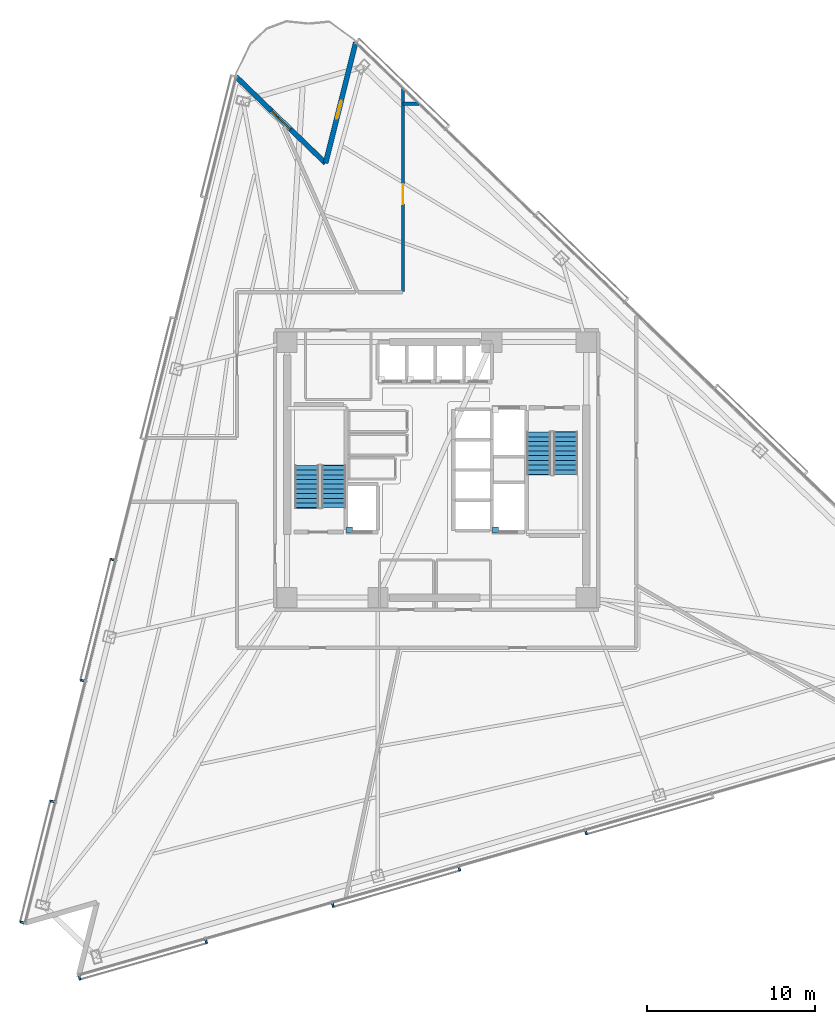
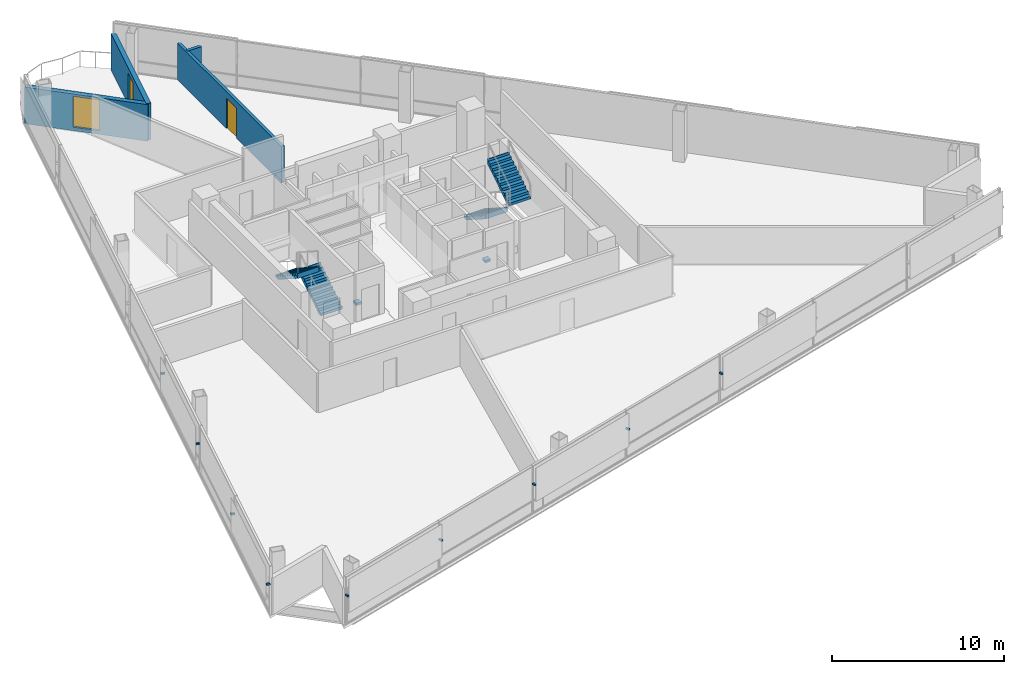
# One storey, part 11 of 16: 11 discrete accessories, 4 stair flights, 4 walls, 2 doors, 1 window, 3 openings, 2 elements without a shape of their own.
"""IFC4 building model written with IfcOpenShell, lengths in metres."""

from ifc_helpers import new_model, si_unit, direction, frame, frame_2d, origin, origin_2d, place, context, subcontext, project, spatial, polyline, rectangle, outline, extrude, material, layer, layer_set, type_object, element, fill, aggregate, save


model = new_model("IFC4")

# Units and contexts
model_context = context("Model", 3, precision=1e-05, world=origin(), true_north=direction((0.0, 1.0)))
body_context = subcontext(model_context, "Body", "Model", "MODEL_VIEW")
ifc_project = project(units=[si_unit("LENGTHUNIT", "METRE"), si_unit("AREAUNIT", "SQUARE_METRE"), si_unit("VOLUMEUNIT", "CUBIC_METRE"), si_unit("PLANEANGLEUNIT", "RADIAN"), si_unit("MASSUNIT", "GRAM", prefix="KILO")], contexts=[model_context])

# Site, building, storey
site_placement = place(None, origin())
site = spatial("IfcSite", under=ifc_project, at=site_placement, CompositionType="ELEMENT")
building_placement = place(site_placement, origin())
building = spatial("IfcBuilding", under=site, at=building_placement, Name="Tharavind Bronze Gate", CompositionType="ELEMENT")
storey_placement = place(building_placement, frame((0.0, 0.0, 104.10009765625)))
storey = spatial("IfcBuildingStorey", under=building, at=storey_placement, Name="L26", CompositionType="ELEMENT", Elevation=104.10009765625)

# Wall, opening, door
ifc_material_1 = material(Name="Concrete C40/50", Category="concrete")
ifc_layer_1 = layer(ifc_material_1, 0.300048828125)
ifc_layer_set_1 = layer_set([ifc_layer_1], Name="Concrete C40/50")
wall_type_1 = type_object("IfcWallType", Name="EXTERIOR SPANDREL WALL 300", PredefinedType="STANDARD", material=ifc_layer_set_1)
wall_1_placement = place(storey_placement, frame((-4.8203125, 25.433837890625, 0.0), z_axis=(0.0, 0.0, 1.0), x_axis=(-0.241930078207, -0.970293686086, 0.0)))
wall_1 = element("IfcWall", 1, at=wall_1_placement, inside=storey, type_object=wall_type_1, Name="L26 notch cheek wall 1A", PredefinedType="STANDARD", context=body_context, shape_type="SweptSolid", body=[
    extrude(rectangle(XDim=7.39990234375, YDim=0.300048828125, at=frame_2d((3.699951171875, 0.0))), origin(), (0.0, 0.0, 1.0), 2.60498046875),
])
opening_1_placement = place(wall_1_placement, frame((3.570068359375, 0.0, 0.0)))
opening_1 = element("IfcOpeningElement", 2, at=opening_1_placement, cuts=wall_1, Name="Opening ED04", PredefinedType="OPENING", context=body_context, shape_type="SweptSolid", body=[
    extrude(rectangle(XDim=1.10009765625, YDim=2.199951171875, at=frame_2d((0.550048828125, 1.10009765625))), frame((0.0, 0.15990234375, 0.0), z_axis=(0.0, -1.0, 0.0), x_axis=(1.0, 0.0, 0.0)), (0.0, 0.0, 1.0), 0.320048828125),
])
ifc_material_2 = material(Name="Bronze Aluminium & Toughened Glass", Category="aluminium")
door_type_1 = type_object("IfcDoorType", Name="TREE BALCONY ACCESS DOOR 1100X2200", OperationType="SINGLE_SWING_LEFT", PredefinedType="DOOR", material=ifc_material_2)
door_1_placement = place(opening_1_placement, origin())
door_1 = element("IfcDoor", 3, at=door_1_placement, inside=storey, type_object=door_type_1, Name="L26 tree balcony access door", OperationType="SINGLE_SWING_LEFT", OverallHeight=2.199951171875, OverallWidth=1.10009765625, PredefinedType="DOOR", context=body_context, shape_type="SweptSolid", body=[
    extrude(rectangle(XDim=1.10009765625, YDim=2.199951171875, at=frame_2d((0.550048828125, 1.10009765625))), frame((0.0, 0.02490234375, 0.0), z_axis=(0.0, -1.0, 0.0), x_axis=(1.0, 0.0, 0.0)), (0.0, 0.0, 1.0), 0.050048828125),
])
fill(opening_1, door_1)

# Wall, opening, window
wall_2_placement = place(storey_placement, frame((-6.610595703125, 18.253662109375, 0.0), z_axis=(0.0, 0.0, 1.0), x_axis=(-0.719321869339, 0.694676938073, 0.0)))
wall_2 = element("IfcWall", 4, at=wall_2_placement, inside=storey, type_object=wall_type_1, Name="L26 notch cheek wall 1B", PredefinedType="STANDARD", context=body_context, shape_type="SweptSolid", body=[
    extrude(rectangle(XDim=7.39990234375, YDim=0.300048828125, at=frame_2d((3.699951171875, 0.0))), origin(), (0.0, 0.0, 1.0), 2.60498046875),
])
opening_2_placement = place(wall_2_placement, frame((2.89990234375, 0.0, 0.25)))
opening_2 = element("IfcOpeningElement", 5, at=opening_2_placement, cuts=wall_2, Name="Opening W05", PredefinedType="OPENING", context=body_context, shape_type="SweptSolid", body=[
    extrude(rectangle(XDim=1.60009765625, YDim=2.199951171875, at=frame_2d((0.800048828125, 1.10009765625))), frame((0.0, 0.15990234375, 0.0), z_axis=(0.0, -1.0, 0.0), x_axis=(1.0, 0.0, 0.0)), (0.0, 0.0, 1.0), 0.320048828125),
])
ifc_material_3 = material(Name="Bronze Aluminium & Low-E Glass", Category="aluminium")
window_type = type_object("IfcWindowType", Name="OFFICE NOTCH BRONZE WINDOW 1600X2200", PartitioningType="DOUBLE_PANEL_VERTICAL", PredefinedType="WINDOW", material=ifc_material_3)
window_placement = place(opening_2_placement, origin())
window = element("IfcWindow", 6, at=window_placement, inside=storey, type_object=window_type, Name="L26 exterior window WL-L26-NCA1-01", OverallHeight=2.199951171875, OverallWidth=1.60009765625, PartitioningType="SINGLE_PANEL", PredefinedType="WINDOW", context=body_context, shape_type="SweptSolid", body=[
    extrude(rectangle(XDim=1.60009765625, YDim=2.199951171875, at=frame_2d((0.800048828125, 1.10009765625))), frame((0.0, 0.030029296875, 0.0), z_axis=(0.0, -1.0, 0.0), x_axis=(1.0, 0.0, 0.0)), (0.0, 0.0, 1.0), 0.06005859375),
])
fill(opening_2, window)

# Wall
ifc_material_4 = material(Name="Aerated Concrete Block", Category="concrete")
ifc_layer_2 = layer(ifc_material_4, 0.199951171875)
ifc_layer_set_2 = layer_set([ifc_layer_2], Name="Aerated Concrete Block")
wall_type_2 = type_object("IfcWallType", Name="FIRE RATED PARTITION 200", PredefinedType="PARTITIONING", material=ifc_layer_set_2)
wall_3_placement = place(storey_placement, frame((-1.057373046875, 21.800048828125, 0.0), z_axis=(0.0, 0.0, 1.0), x_axis=(-1.0, 0.0, 0.0)))
element("IfcWall", 7, at=wall_3_placement, inside=storey, type_object=wall_type_2, Name="L26 Private Wealth Salon partition", PredefinedType="PARTITIONING", context=body_context, shape_type="SweptSolid", body=[
    extrude(rectangle(XDim=0.942138671875, YDim=0.199951171875, at=frame_2d((0.47119140625, 0.0))), origin(), (0.0, 0.0, 1.0), 2.60498046875),
])

# Wall, opening, door
wall_4_placement = place(storey_placement, frame((-2.0, 22.710205078125, 0.0), z_axis=(0.0, 0.0, 1.0), x_axis=(0.0, -1.0, 0.0)))
wall_4 = element("IfcWall", 8, at=wall_4_placement, inside=storey, type_object=wall_type_2, Name="L26 Private Wealth Salon partition", PredefinedType="PARTITIONING", context=body_context, shape_type="SweptSolid", body=[
    extrude(rectangle(XDim=12.105224609375, YDim=0.199951171875, at=frame_2d((6.052734375, 0.0))), origin(), (0.0, 0.0, 1.0), 2.60498046875),
])
opening_3_placement = place(wall_4_placement, frame((5.697998046875, 0.0, 0.0)))
opening_3 = element("IfcOpeningElement", 9, at=opening_3_placement, cuts=wall_4, Name="Opening ID05", PredefinedType="OPENING", context=body_context, shape_type="SweptSolid", body=[
    extrude(rectangle(XDim=1.199951171875, YDim=2.14990234375, at=frame_2d((0.60009765625, 1.074951171875))), frame((0.0, 0.11009765625, 0.0), z_axis=(0.0, -1.0, 0.0), x_axis=(1.0, 0.0, 0.0)), (0.0, 0.0, 1.0), 0.219951171875),
])
ifc_material_5 = material(Name="Acoustic Laminated Glass", Category="glass")
door_type_2 = type_object("IfcDoorType", Name="MEETING ROOM GLAZED DOOR 1200X2150", OperationType="SINGLE_SWING_LEFT", PredefinedType="DOOR", material=ifc_material_5)
door_2_placement = place(opening_3_placement, origin())
door_2 = element("IfcDoor", 10, at=door_2_placement, inside=storey, type_object=door_type_2, Name="L26 Private Wealth Salon door", OperationType="SINGLE_SWING_LEFT", OverallHeight=2.14990234375, OverallWidth=1.199951171875, PredefinedType="DOOR", context=body_context, shape_type="SweptSolid", body=[
    extrude(rectangle(XDim=1.199951171875, YDim=2.14990234375, at=frame_2d((0.60009765625, 1.074951171875))), frame((0.0, 0.02490234375, 0.0), z_axis=(0.0, -1.0, 0.0), x_axis=(1.0, 0.0, 0.0)), (0.0, 0.0, 1.0), 0.050048828125),
])
fill(opening_3, door_2)

# Stair, stair flights
stair_type = type_object("IfcStairType", Name="CORE HALF TURN STAIR 1450", PredefinedType="HALF_TURN_STAIR", material=ifc_material_1)
stair_1_placement = place(storey_placement, origin())
stair_1 = element("IfcStair", 11, at=stair_1_placement, inside=storey, type_object=stair_type, Name="L26 Protected Exit Stair ST1", PredefinedType="HALF_TURN_STAIR")
stair_flight_type = type_object("IfcStairFlightType", Name="CORE STAIR FLIGHT 1450", PredefinedType="STRAIGHT", material=ifc_material_1)
stair_flight_1_placement = place(storey_placement, frame((-6.125, -2.25, 0.0), z_axis=(0.0, 0.0, 1.0), x_axis=(0.0, 1.0, 0.0)))
stair_flight_1 = element("IfcStairFlight", 12, at=stair_flight_1_placement, type_object=stair_flight_type, Name="ST1 flight 1", NumberOfRisers=10, NumberOfTreads=9, PredefinedType="STRAIGHT", RiserHeight=0.18, TreadLength=0.28, context=body_context, shape_type="SweptSolid", body=[
    extrude(outline(polyline([(0.0, 0.0), (0.0, 0.179931640625), (0.280029296875, 0.179931640625), (0.280029296875, 0.360107421875), (0.56005859375, 0.360107421875), (0.56005859375, 0.5400390625), (0.840087890625, 0.5400390625), (0.840087890625, 0.719970703125), (1.1201171875, 0.719970703125), (1.1201171875, 0.89990234375), (1.39990234375, 0.89990234375), (1.39990234375, 1.080078125), (1.679931640625, 1.080078125), (1.679931640625, 1.260009765625), (1.9599609375, 1.260009765625), (1.9599609375, 1.43994140625), (2.239990234375, 1.43994140625), (2.239990234375, 1.6201171875), (2.52001953125, 1.6201171875), (2.52001953125, 1.800048828125), (2.555908203125, 1.800048828125), (2.555908203125, 1.44189453125), (0.277099609375, 0.0), (0.0, 0.0)])), frame((0.0, 0.72509765625, 0.0), z_axis=(0.0, -1.0, 0.0), x_axis=(1.0, 0.0, 0.0)), (0.0, 0.0, 1.0), 1.449951171875),
])
stair_flight_2_placement = place(storey_placement, frame((-7.72509765625, 0.27001953125, 1.7998046875), z_axis=(0.0, 0.0, 1.0), x_axis=(0.0, -1.0, 0.0)))
stair_flight_2 = element("IfcStairFlight", 13, at=stair_flight_2_placement, type_object=stair_flight_type, Name="ST1 flight 2", NumberOfRisers=10, NumberOfTreads=9, PredefinedType="STRAIGHT", RiserHeight=0.18, TreadLength=0.28, context=body_context, shape_type="SweptSolid", body=[
    extrude(outline(polyline([(0.0, 0.0), (0.0, 0.179931640625), (0.280029296875, 0.179931640625), (0.280029296875, 0.360107421875), (0.56005859375, 0.360107421875), (0.56005859375, 0.5400390625), (0.840087890625, 0.5400390625), (0.840087890625, 0.719970703125), (1.1201171875, 0.719970703125), (1.1201171875, 0.89990234375), (1.39990234375, 0.89990234375), (1.39990234375, 1.080078125), (1.679931640625, 1.080078125), (1.679931640625, 1.260009765625), (1.9599609375, 1.260009765625), (1.9599609375, 1.43994140625), (2.239990234375, 1.43994140625), (2.239990234375, 1.6201171875), (2.52001953125, 1.6201171875), (2.52001953125, 1.800048828125), (2.555908203125, 1.800048828125), (2.555908203125, 1.44189453125), (0.277099609375, 0.0), (0.0, 0.0)])), frame((0.0, 0.72509765625, 0.0), z_axis=(0.0, -1.0, 0.0), x_axis=(1.0, 0.0, 0.0)), (0.0, 0.0, 1.0), 1.449951171875),
])
aggregate(stair_1, [stair_flight_1, stair_flight_2])

stair_2_placement = place(storey_placement, origin())
stair_2 = element("IfcStair", 14, at=stair_2_placement, inside=storey, type_object=stair_type, Name="L26 Protected Exit Stair ST2", PredefinedType="HALF_TURN_STAIR")
stair_flight_3_placement = place(storey_placement, frame((6.074951171875, 2.25, 0.0), z_axis=(0.0, 0.0, 1.0), x_axis=(0.0, -1.0, 0.0)))
stair_flight_3 = element("IfcStairFlight", 15, at=stair_flight_3_placement, type_object=stair_flight_type, Name="ST2 flight 1", NumberOfRisers=10, NumberOfTreads=9, PredefinedType="STRAIGHT", RiserHeight=0.18, TreadLength=0.28, context=body_context, shape_type="SweptSolid", body=[
    extrude(outline(polyline([(0.0, 0.0), (0.0, 0.179931640625), (0.280029296875, 0.179931640625), (0.280029296875, 0.360107421875), (0.56005859375, 0.360107421875), (0.56005859375, 0.5400390625), (0.840087890625, 0.5400390625), (0.840087890625, 0.719970703125), (1.1201171875, 0.719970703125), (1.1201171875, 0.89990234375), (1.39990234375, 0.89990234375), (1.39990234375, 1.080078125), (1.679931640625, 1.080078125), (1.679931640625, 1.260009765625), (1.9599609375, 1.260009765625), (1.9599609375, 1.43994140625), (2.239990234375, 1.43994140625), (2.239990234375, 1.6201171875), (2.52001953125, 1.6201171875), (2.52001953125, 1.800048828125), (2.555908203125, 1.800048828125), (2.555908203125, 1.44189453125), (0.277099609375, 0.0), (0.0, 0.0)])), frame((0.0, 0.72509765625, 0.0), z_axis=(0.0, -1.0, 0.0), x_axis=(1.0, 0.0, 0.0)), (0.0, 0.0, 1.0), 1.449951171875),
])
stair_flight_4_placement = place(storey_placement, frame((7.675048828125, -0.27001953125, 1.7998046875), z_axis=(0.0, 0.0, 1.0), x_axis=(0.0, 1.0, 0.0)))
stair_flight_4 = element("IfcStairFlight", 16, at=stair_flight_4_placement, type_object=stair_flight_type, Name="ST2 flight 2", NumberOfRisers=10, NumberOfTreads=9, PredefinedType="STRAIGHT", RiserHeight=0.18, TreadLength=0.28, context=body_context, shape_type="SweptSolid", body=[
    extrude(outline(polyline([(0.0, 0.0), (0.0, 0.179931640625), (0.280029296875, 0.179931640625), (0.280029296875, 0.360107421875), (0.56005859375, 0.360107421875), (0.56005859375, 0.5400390625), (0.840087890625, 0.5400390625), (0.840087890625, 0.719970703125), (1.1201171875, 0.719970703125), (1.1201171875, 0.89990234375), (1.39990234375, 0.89990234375), (1.39990234375, 1.080078125), (1.679931640625, 1.080078125), (1.679931640625, 1.260009765625), (1.9599609375, 1.260009765625), (1.9599609375, 1.43994140625), (2.239990234375, 1.43994140625), (2.239990234375, 1.6201171875), (2.52001953125, 1.6201171875), (2.52001953125, 1.800048828125), (2.555908203125, 1.800048828125), (2.555908203125, 1.44189453125), (0.277099609375, 0.0), (0.0, 0.0)])), frame((0.0, 0.72509765625, 0.0), z_axis=(0.0, -1.0, 0.0), x_axis=(1.0, 0.0, 0.0)), (0.0, 0.0, 1.0), 1.449951171875),
])
aggregate(stair_2, [stair_flight_3, stair_flight_4])

# Discrete accessories
ifc_material_6 = material(Name="Galvanised Steel S355", Category="steel")
discrete_accessory_type_1 = type_object("IfcDiscreteAccessoryType", Name="LIFT GUIDE RAIL BRACKET", PredefinedType="BRACKET", material=ifc_material_6)
for number, where, z_axis, x_axis, name in (
    (17, (-5.179931640625, -3.580078125, 1.1201171875), (0.0, 0.0, 1.0), (1.0, 0.0, 0.0), "Lift FFL1 guide rail bracket at L26"),
    (18, (3.5, -3.580078125, 1.1201171875), (0.0, 0.0, 1.0), (1.0, 0.0, 0.0), "Lift SVL1 guide rail bracket at L26"),
):
    element("IfcDiscreteAccessory", number, at=place(storey_placement, frame(where, z_axis=z_axis, x_axis=x_axis)), inside=storey, type_object=discrete_accessory_type_1, Name=name, PredefinedType="BRACKET", context=body_context, shape_type="SweptSolid", body=[
        extrude(rectangle(XDim=0.360107421875, YDim=0.360107421875, at=origin_2d()), origin(), (0.0, 0.0, 1.0), 0.159912109375),
    ])
ifc_material_7 = material(Name="Stainless Steel 316", Category="steel")
discrete_accessory_type_2 = type_object("IfcDiscreteAccessoryType", Name="SOLAR SCREEN STANDOFF BRACKET", PredefinedType="BRACKET", material=ifc_material_7)
for number, where, z_axis, x_axis, name in (
    (19, (-19.282958984375, -5.338134765625, 2.0947265625), (0.0, 0.0, 1.0), (-0.2419218956, -0.970295726276, 0.0), "CW-L26-S1 solar screen bracket 5.1"),
    (20, (-21.07666015625, -12.531982421875, 2.0947265625), (0.0, 0.0, 1.0), (-0.2419218956, -0.970295726276, 0.0), "CW-L26-S1 solar screen bracket 5.2"),
    (21, (-22.870361328125, -19.72607421875, 2.0947265625), (0.0, 0.0, 1.0), (-0.2419218956, -0.970295726276, 0.0), "CW-L26-S1 solar screen bracket 7.1"),
    (22, (-24.6640625, -26.920166015625, 2.0947265625), (0.0, 0.0, 1.0), (-0.2419218956, -0.970295726276, 0.0), "CW-L26-S1 solar screen bracket 7.2"),
    (23, (-21.245849609375, -30.220703125, 2.0947265625), (0.0, 0.0, 1.0), (0.961261695938, 0.275637355817, 0.0), "CW-L26-S2 solar screen bracket 1.1"),
    (24, (-13.71240234375, -28.060546875, 2.0947265625), (0.0, 0.0, 1.0), (0.961261695938, 0.275637355817, 0.0), "CW-L26-S2 solar screen bracket 1.2"),
    (25, (-6.178955078125, -25.900390625, 2.0947265625), (0.0, 0.0, 1.0), (0.961261695938, 0.275637355817, 0.0), "CW-L26-S2 solar screen bracket 3.1"),
    (26, (1.3544921875, -23.740234375, 2.0947265625), (0.0, 0.0, 1.0), (0.961261695938, 0.275637355817, 0.0), "CW-L26-S2 solar screen bracket 3.2"),
    (27, (8.887939453125, -21.580078125, 2.0947265625), (0.0, 0.0, 1.0), (0.961261695938, 0.275637355817, 0.0), "CW-L26-S2 solar screen bracket 5.1"),
):
    element("IfcDiscreteAccessory", number, at=place(storey_placement, frame(where, z_axis=z_axis, x_axis=x_axis)), inside=storey, type_object=discrete_accessory_type_2, Name=name, PredefinedType="BRACKET", context=body_context, shape_type="SweptSolid", body=[
        extrude(rectangle(XDim=0.1201171875, YDim=0.239990234375, at=origin_2d()), origin(), (0.0, 0.0, 1.0), 0.1201171875),
    ])

save(model, "model.ifc")
